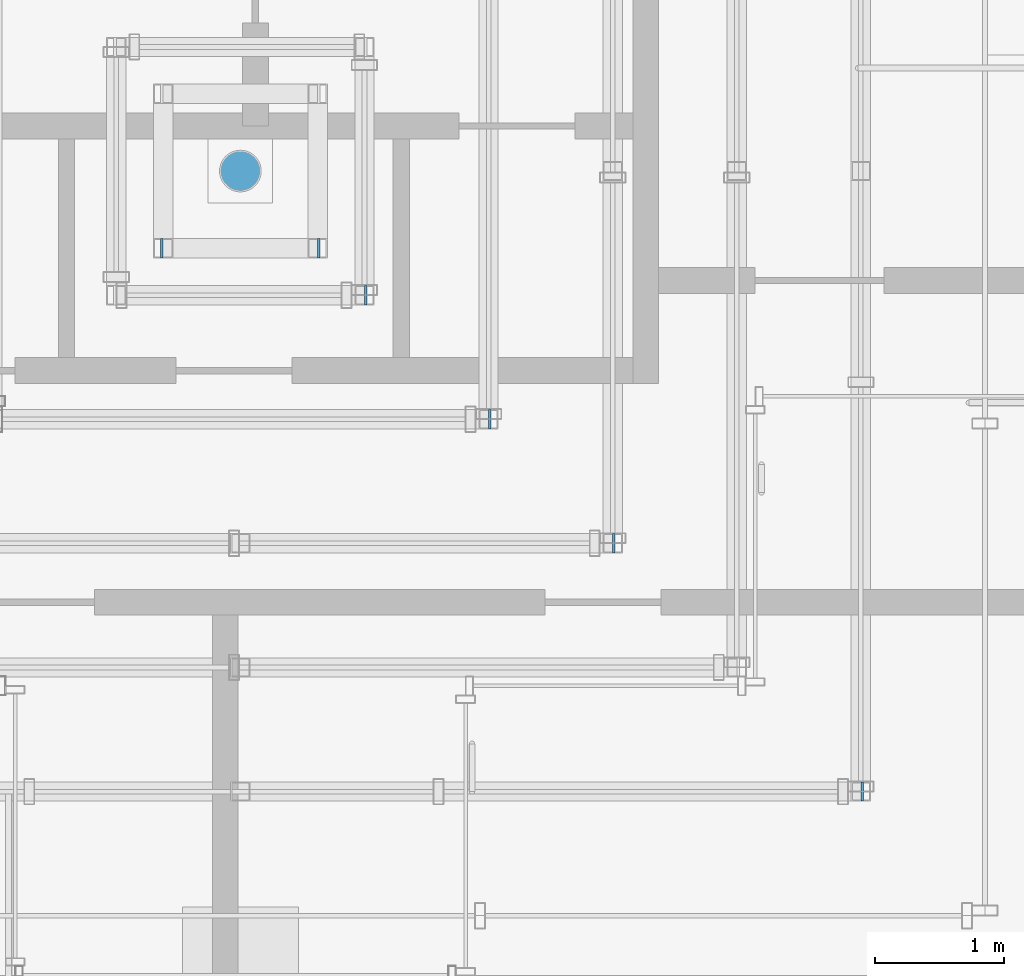
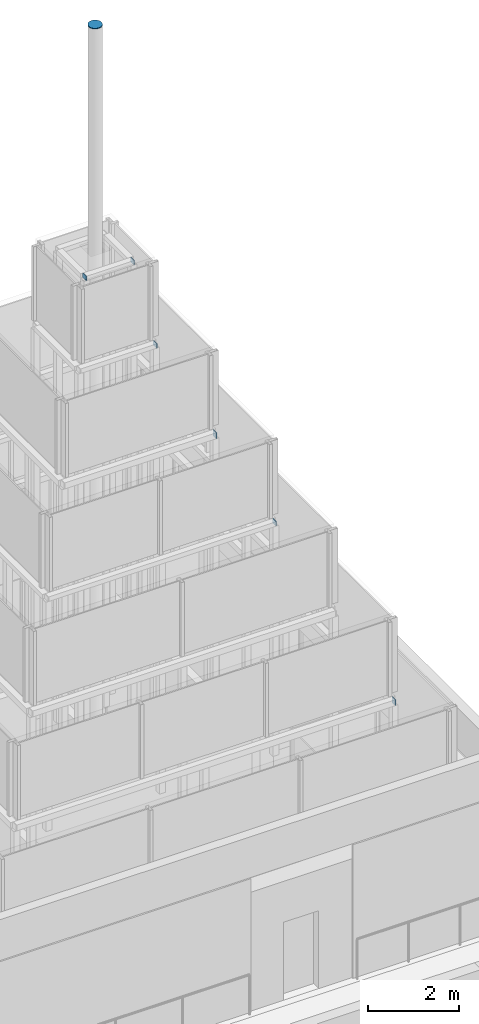
# One storey, part 59 of 62: 7 discrete accessories.
"""IFC4 building model written with IfcOpenShell, lengths in metres."""

from ifc_helpers import new_model, si_unit, direction, frame, origin, origin_2d, place, context, subcontext, project, spatial, rectangle, circle, extrude, element, save


model = new_model("IFC4")

# Units and contexts
model_context = context("Model", 3, precision=1e-05, world=origin(), true_north=direction((0.0, 1.0)))
body_context = subcontext(model_context, "Body", "Model", "MODEL_VIEW")
ifc_project = project(units=[si_unit("LENGTHUNIT", "METRE"), si_unit("AREAUNIT", "SQUARE_METRE"), si_unit("VOLUMEUNIT", "CUBIC_METRE"), si_unit("PLANEANGLEUNIT", "RADIAN"), si_unit("MASSUNIT", "GRAM", prefix="KILO")], contexts=[model_context])

# Site, building, storey
site_placement = place(None, origin())
site = spatial("IfcSite", under=ifc_project, at=site_placement, CompositionType="ELEMENT")
building_placement = place(site_placement, origin())
building = spatial("IfcBuilding", under=site, at=building_placement, Name="Altepetl Exchange Towers", CompositionType="ELEMENT")
storey_placement = place(building_placement, frame((0.0, 0.0, 210.0)))
storey = spatial("IfcBuildingStorey", under=building, at=storey_placement, Name="L53", CompositionType="ELEMENT", Elevation=210.0)

# Discrete accessories
discrete_accessory_1_placement = place(storey_placement, frame((115.081298828125, 37.9287109375, 5.43994140625)))
element("IfcDiscreteAccessory", 1, at=discrete_accessory_1_placement, inside=storey, Name="End cap plate", ObjectType="END CAP PLATE", PredefinedType="USERDEFINED", context=body_context, shape_type="SweptSolid", body=[
    extrude(rectangle(XDim=0.02001953125, YDim=0.14990234375, at=origin_2d()), origin(), (0.0, 0.0, 1.0), 0.159912109375),
])
discrete_accessory_2_placement = place(storey_placement, frame((113.15283203125, 39.857177734375, 9.780029296875)))
element("IfcDiscreteAccessory", 2, at=discrete_accessory_2_placement, inside=storey, Name="End cap plate", ObjectType="END CAP PLATE", PredefinedType="USERDEFINED", context=body_context, shape_type="SweptSolid", body=[
    extrude(rectangle(XDim=0.02001953125, YDim=0.14990234375, at=origin_2d()), origin(), (0.0, 0.0, 1.0), 0.1201171875),
])
discrete_accessory_3_placement = place(storey_placement, frame((112.188720703125, 40.8212890625, 11.89013671875)))
element("IfcDiscreteAccessory", 3, at=discrete_accessory_3_placement, inside=storey, Name="End cap plate", ObjectType="END CAP PLATE", PredefinedType="USERDEFINED", context=body_context, shape_type="SweptSolid", body=[
    extrude(rectangle(XDim=0.02001953125, YDim=0.14990234375, at=origin_2d()), origin(), (0.0, 0.0, 1.0), 0.159912109375),
])
discrete_accessory_4_placement = place(storey_placement, frame((111.224365234375, 41.78564453125, 14.079833984375)))
element("IfcDiscreteAccessory", 4, at=discrete_accessory_4_placement, inside=storey, Name="End cap plate", ObjectType="END CAP PLATE", PredefinedType="USERDEFINED", context=body_context, shape_type="SweptSolid", body=[
    extrude(rectangle(XDim=0.02001953125, YDim=0.14990234375, at=origin_2d()), origin(), (0.0, 0.0, 1.0), 0.1201171875),
])
discrete_accessory_5_placement = place(storey_placement, frame((109.639892578125, 42.14990234375, 16.22998046875), z_axis=(0.0, 0.0, 1.0), x_axis=(-1.0, 0.0, 0.0)))
element("IfcDiscreteAccessory", 5, at=discrete_accessory_5_placement, inside=storey, Name="End cap plate", ObjectType="END CAP PLATE", PredefinedType="USERDEFINED", context=body_context, shape_type="SweptSolid", body=[
    extrude(rectangle(XDim=0.02001953125, YDim=0.14990234375, at=origin_2d()), origin(), (0.0, 0.0, 1.0), 0.1201171875),
])
discrete_accessory_6_placement = place(storey_placement, frame((110.860107421875, 42.14990234375, 16.22998046875)))
element("IfcDiscreteAccessory", 6, at=discrete_accessory_6_placement, inside=storey, Name="End cap plate", ObjectType="END CAP PLATE", PredefinedType="USERDEFINED", context=body_context, shape_type="SweptSolid", body=[
    extrude(rectangle(XDim=0.02001953125, YDim=0.14990234375, at=origin_2d()), origin(), (0.0, 0.0, 1.0), 0.1201171875),
])
discrete_accessory_7_placement = place(storey_placement, frame((110.25, 42.75, 22.5)))
element("IfcDiscreteAccessory", 7, at=discrete_accessory_7_placement, inside=storey, Name="End cap plate", ObjectType="END CAP PLATE", PredefinedType="USERDEFINED", context=body_context, shape_type="SweptSolid", body=[
    extrude(circle(Radius=0.162109375, at=origin_2d()), origin(), (0.0, 0.0, 1.0), 0.02001953125),
])

save(model, "model.ifc")
